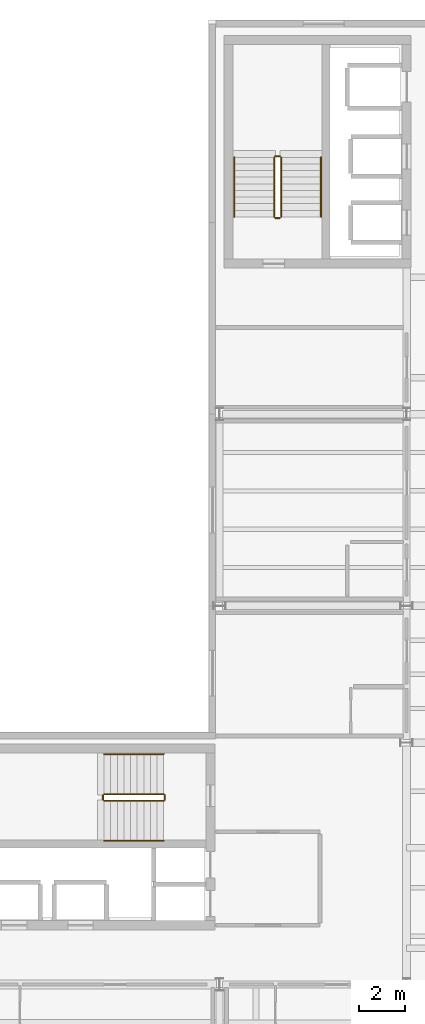
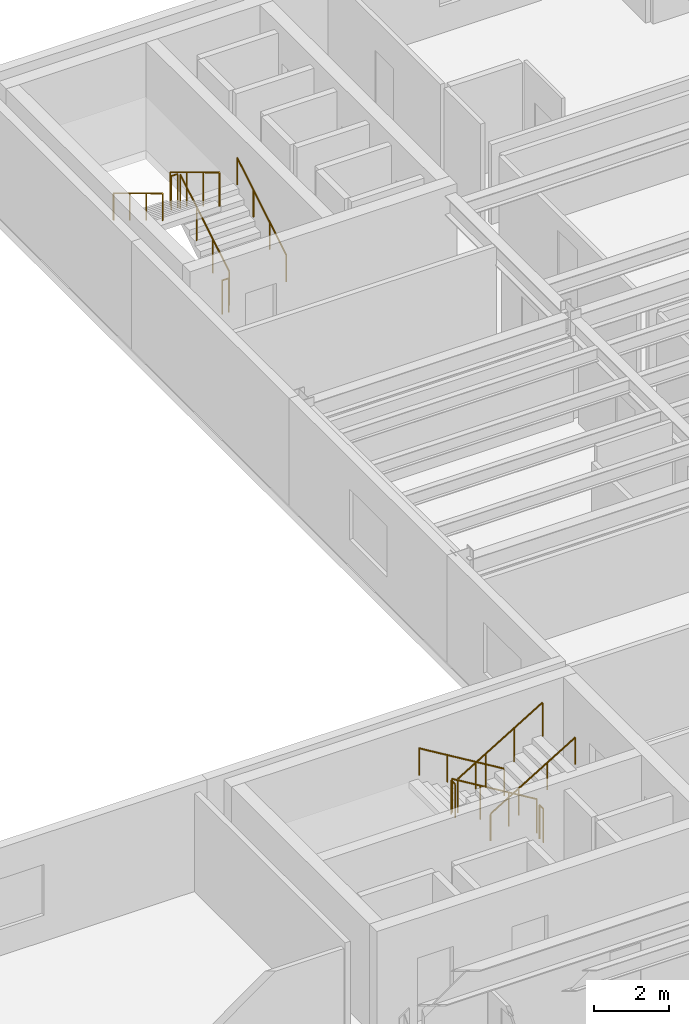
# One storey, part 17 of 17: 12 railings.
"""IFC4 building model written with IfcOpenShell, lengths in metres."""

from ifc_helpers import new_model, si_unit, direction, frame, origin, origin_2d, place, context, subcontext, project, spatial, circle, extrude, material, type_object, element, save


model = new_model("IFC4")

# Units and contexts
model_context = context("Model", 3, precision=1e-05, world=origin(), true_north=direction((0.0, 1.0)))
body_context = subcontext(model_context, "Body", "Model", "MODEL_VIEW")
ifc_project = project(units=[si_unit("LENGTHUNIT", "METRE"), si_unit("AREAUNIT", "SQUARE_METRE"), si_unit("VOLUMEUNIT", "CUBIC_METRE"), si_unit("PLANEANGLEUNIT", "RADIAN"), si_unit("MASSUNIT", "GRAM", prefix="KILO")], contexts=[model_context])

# Site, building, storey
site_placement = place(None, origin())
site = spatial("IfcSite", under=ifc_project, at=site_placement, CompositionType="ELEMENT")
building_placement = place(site_placement, origin())
building = spatial("IfcBuilding", under=site, at=building_placement, Name="Sollismere Congress Hotel", CompositionType="ELEMENT")
storey_placement = place(building_placement, frame((0.0, 0.0, 37.60009765625)))
storey = spatial("IfcBuildingStorey", under=building, at=storey_placement, Name="L09", CompositionType="ELEMENT", Elevation=37.60009765625)

# Railings
ifc_material_1 = material(Name="Steel ASTM A500 Grade C", Category="steel")
railing_type_1 = type_object("IfcRailingType", Name="RL-GRD112", PredefinedType="GUARDRAIL", material=ifc_material_1)
railing_1_placement = place(storey_placement, frame((144.75, 16.550048828125, 0.1748046875)))
element("IfcRailing", 1, at=railing_1_placement, inside=storey, type_object=railing_type_1, Name="RLG-RG-ST-01-L09-1", PredefinedType="GUARDRAIL", context=body_context, shape_type="SweptSolid", body=[
    extrude(circle(Radius=0.02392578125, at=origin_2d()), frame((0.0, 0.0, 1.09619140625), z_axis=(-0.85616872604, 0.0, 0.516696344627), x_axis=(0.0, -1.0, 0.0)), (0.0, 0.0, 1.0), 3.048583984375),
    extrude(circle(Radius=0.02099609375, at=origin_2d()), origin(), (0.0, 0.0, 1.0), 1.072021484375),
    extrude(circle(Radius=0.02099609375, at=origin_2d()), frame((-0.8701171875, 0.0, 0.525146484375)), (0.0, 0.0, 1.0), 1.072021484375),
    extrude(circle(Radius=0.02099609375, at=origin_2d()), frame((-1.739990234375, 0.0, 1.050048828125)), (0.0, 0.0, 1.0), 1.072021484375),
    extrude(circle(Radius=0.02099609375, at=origin_2d()), frame((-2.610107421875, 0.0, 1.5751953125)), (0.0, 0.0, 1.0), 1.072021484375),
])
railing_2_placement = place(storey_placement, frame((142.090087890625, 16.5, 1.75)))
element("IfcRailing", 2, at=railing_2_placement, inside=storey, type_object=railing_type_1, Name="RLG-RG-ST-01-L09-2", PredefinedType="GUARDRAIL", context=body_context, shape_type="SweptSolid", body=[
    extrude(circle(Radius=0.02392578125, at=origin_2d()), frame((0.0, 0.0, 1.09619140625), z_axis=(0.0, -1.0, 0.0), x_axis=(1.0, 0.0, 0.0)), (0.0, 0.0, 1.0), 0.199951171875),
    extrude(circle(Radius=0.02099609375, at=origin_2d()), origin(), (0.0, 0.0, 1.0), 1.072021484375),
    extrude(circle(Radius=0.02099609375, at=origin_2d()), frame((0.0, -0.199951171875, 0.0)), (0.0, 0.0, 1.0), 1.072021484375),
])
railing_3_placement = place(storey_placement, frame((142.139892578125, 16.25, 1.9248046875)))
element("IfcRailing", 3, at=railing_3_placement, inside=storey, type_object=railing_type_1, Name="RLG-RG-ST-01-L09-3", PredefinedType="GUARDRAIL", context=body_context, shape_type="SweptSolid", body=[
    extrude(circle(Radius=0.02392578125, at=origin_2d()), frame((0.0, 0.0, 1.09619140625), z_axis=(0.85616872604, 0.0, 0.516696344627), x_axis=(0.0, 1.0, 0.0)), (0.0, 0.0, 1.0), 3.048583984375),
    extrude(circle(Radius=0.02099609375, at=origin_2d()), origin(), (0.0, 0.0, 1.0), 1.072021484375),
    extrude(circle(Radius=0.02099609375, at=origin_2d()), frame((0.8701171875, 0.0, 0.525146484375)), (0.0, 0.0, 1.0), 1.072021484375),
    extrude(circle(Radius=0.02099609375, at=origin_2d()), frame((1.739990234375, 0.0, 1.050048828125)), (0.0, 0.0, 1.0), 1.072021484375),
    extrude(circle(Radius=0.02099609375, at=origin_2d()), frame((2.610107421875, 0.0, 1.5751953125)), (0.0, 0.0, 1.0), 1.072021484375),
])
railing_4_placement = place(storey_placement, frame((144.800048828125, 16.5, 0.0)))
element("IfcRailing", 4, at=railing_4_placement, inside=storey, type_object=railing_type_1, Name="RLG-RG-ST-01-L09-4", PredefinedType="GUARDRAIL", context=body_context, shape_type="SweptSolid", body=[
    extrude(circle(Radius=0.02392578125, at=origin_2d()), frame((0.0, 0.0, 1.09619140625), z_axis=(0.0, -1.0, 0.0), x_axis=(1.0, 0.0, 0.0)), (0.0, 0.0, 1.0), 0.199951171875),
    extrude(circle(Radius=0.02099609375, at=origin_2d()), origin(), (0.0, 0.0, 1.0), 1.072021484375),
    extrude(circle(Radius=0.02099609375, at=origin_2d()), frame((0.0, -0.199951171875, 0.0)), (0.0, 0.0, 1.0), 1.072021484375),
])
railing_5_placement = place(storey_placement, frame((149.89990234375, 41.85009765625, 0.1748046875)))
element("IfcRailing", 5, at=railing_5_placement, inside=storey, type_object=railing_type_1, Name="RLG-RG-ST-03-L09-1", PredefinedType="GUARDRAIL", context=body_context, shape_type="SweptSolid", body=[
    extrude(circle(Radius=0.02392578125, at=origin_2d()), frame((0.0, 0.0, 1.09619140625), z_axis=(0.0, 0.856147343639, 0.516731773728), x_axis=(-1.0, 0.0, 0.0)), (0.0, 0.0, 1.0), 3.04833984375),
    extrude(circle(Radius=0.02099609375, at=origin_2d()), origin(), (0.0, 0.0, 1.0), 1.072021484375),
    extrude(circle(Radius=0.02099609375, at=origin_2d()), frame((0.0, 0.869873046875, 0.525146484375)), (0.0, 0.0, 1.0), 1.072021484375),
    extrude(circle(Radius=0.02099609375, at=origin_2d()), frame((0.0, 1.739990234375, 1.050048828125)), (0.0, 0.0, 1.0), 1.072021484375),
    extrude(circle(Radius=0.02099609375, at=origin_2d()), frame((0.0, 2.60986328125, 1.5751953125)), (0.0, 0.0, 1.0), 1.072021484375),
])
railing_6_placement = place(storey_placement, frame((149.85009765625, 44.510009765625, 1.75)))
element("IfcRailing", 6, at=railing_6_placement, inside=storey, type_object=railing_type_1, Name="RLG-RG-ST-03-L09-2", PredefinedType="GUARDRAIL", context=body_context, shape_type="SweptSolid", body=[
    extrude(circle(Radius=0.02392578125, at=origin_2d()), frame((0.0, 0.0, 1.09619140625), z_axis=(-1.0, 0.0, 0.0), x_axis=(0.0, -1.0, 0.0)), (0.0, 0.0, 1.0), 0.2001953125),
    extrude(circle(Radius=0.02099609375, at=origin_2d()), origin(), (0.0, 0.0, 1.0), 1.072021484375),
    extrude(circle(Radius=0.02099609375, at=origin_2d()), frame((-0.2001953125, 0.0, 0.0)), (0.0, 0.0, 1.0), 1.072021484375),
])
railing_7_placement = place(storey_placement, frame((149.60009765625, 44.4599609375, 1.9248046875)))
element("IfcRailing", 7, at=railing_7_placement, inside=storey, type_object=railing_type_1, Name="RLG-RG-ST-03-L09-3", PredefinedType="GUARDRAIL", context=body_context, shape_type="SweptSolid", body=[
    extrude(circle(Radius=0.02392578125, at=origin_2d()), frame((0.0, 0.0, 1.09619140625), z_axis=(0.0, -0.856147343639, 0.516731773728), x_axis=(1.0, 0.0, 0.0)), (0.0, 0.0, 1.0), 3.04833984375),
    extrude(circle(Radius=0.02099609375, at=origin_2d()), origin(), (0.0, 0.0, 1.0), 1.072021484375),
    extrude(circle(Radius=0.02099609375, at=origin_2d()), frame((0.0, -0.869873046875, 0.525146484375)), (0.0, 0.0, 1.0), 1.072021484375),
    extrude(circle(Radius=0.02099609375, at=origin_2d()), frame((0.0, -1.739990234375, 1.050048828125)), (0.0, 0.0, 1.0), 1.072021484375),
    extrude(circle(Radius=0.02099609375, at=origin_2d()), frame((0.0, -2.60986328125, 1.5751953125)), (0.0, 0.0, 1.0), 1.072021484375),
])
railing_8_placement = place(storey_placement, frame((149.85009765625, 41.800048828125, 0.0)))
element("IfcRailing", 8, at=railing_8_placement, inside=storey, type_object=railing_type_1, Name="RLG-RG-ST-03-L09-4", PredefinedType="GUARDRAIL", context=body_context, shape_type="SweptSolid", body=[
    extrude(circle(Radius=0.02392578125, at=origin_2d()), frame((0.0, 0.0, 1.09619140625), z_axis=(-1.0, 0.0, 0.0), x_axis=(0.0, -1.0, 0.0)), (0.0, 0.0, 1.0), 0.2001953125),
    extrude(circle(Radius=0.02099609375, at=origin_2d()), origin(), (0.0, 0.0, 1.0), 1.072021484375),
    extrude(circle(Radius=0.02099609375, at=origin_2d()), frame((-0.2001953125, 0.0, 0.0)), (0.0, 0.0, 1.0), 1.072021484375),
])
ifc_material_2 = material(Name="Brushed Architectural Bronze")
railing_type_2 = type_object("IfcRailingType", Name="RL-HND90", PredefinedType="HANDRAIL", material=ifc_material_2)
railing_9_placement = place(storey_placement, frame((144.75, 18.300048828125, 0.325927734375)))
element("IfcRailing", 9, at=railing_9_placement, inside=storey, type_object=railing_type_2, Name="RLG-RH-ST-01-L09-1", PredefinedType="HANDRAIL", context=body_context, shape_type="SweptSolid", body=[
    extrude(circle(Radius=0.02392578125, at=origin_2d()), frame((0.0, 0.0, 0.8759765625), z_axis=(-0.856204152608, 0.0, 0.516637638057), x_axis=(0.0, -1.0, 0.0)), (0.0, 0.0, 1.0), 3.048583984375),
    extrude(circle(Radius=0.02099609375, at=origin_2d()), origin(), (0.0, 0.0, 1.0), 0.851806640625),
    extrude(circle(Radius=0.02099609375, at=origin_2d()), frame((-0.8701171875, 0.0, 0.52490234375)), (0.0, 0.0, 1.0), 0.851806640625),
    extrude(circle(Radius=0.02099609375, at=origin_2d()), frame((-1.739990234375, 0.0, 1.050048828125)), (0.0, 0.0, 1.0), 0.851806640625),
    extrude(circle(Radius=0.02099609375, at=origin_2d()), frame((-2.610107421875, 0.0, 1.574951171875)), (0.0, 0.0, 1.0), 0.851806640625),
])
railing_10_placement = place(storey_placement, frame((142.139892578125, 14.5, 2.075927734375)))
element("IfcRailing", 10, at=railing_10_placement, inside=storey, type_object=railing_type_2, Name="RLG-RH-ST-01-L09-2", PredefinedType="HANDRAIL", context=body_context, shape_type="SweptSolid", body=[
    extrude(circle(Radius=0.02392578125, at=origin_2d()), frame((0.0, 0.0, 0.8759765625), z_axis=(0.856204152608, 0.0, 0.516637638057), x_axis=(0.0, 1.0, 0.0)), (0.0, 0.0, 1.0), 3.048583984375),
    extrude(circle(Radius=0.02099609375, at=origin_2d()), origin(), (0.0, 0.0, 1.0), 0.851806640625),
    extrude(circle(Radius=0.02099609375, at=origin_2d()), frame((0.8701171875, 0.0, 0.52490234375)), (0.0, 0.0, 1.0), 0.851806640625),
    extrude(circle(Radius=0.02099609375, at=origin_2d()), frame((1.739990234375, 0.0, 1.050048828125)), (0.0, 0.0, 1.0), 0.851806640625),
    extrude(circle(Radius=0.02099609375, at=origin_2d()), frame((2.610107421875, 0.0, 1.574951171875)), (0.0, 0.0, 1.0), 0.851806640625),
])
railing_11_placement = place(storey_placement, frame((151.64990234375, 41.85009765625, 0.325927734375)))
element("IfcRailing", 11, at=railing_11_placement, inside=storey, type_object=railing_type_2, Name="RLG-RH-ST-03-L09-1", PredefinedType="HANDRAIL", context=body_context, shape_type="SweptSolid", body=[
    extrude(circle(Radius=0.02392578125, at=origin_2d()), frame((0.0, 0.0, 0.8759765625), z_axis=(0.0, 0.85618277418, 0.516673066065), x_axis=(-1.0, 0.0, 0.0)), (0.0, 0.0, 1.0), 3.04833984375),
    extrude(circle(Radius=0.02099609375, at=origin_2d()), origin(), (0.0, 0.0, 1.0), 0.851806640625),
    extrude(circle(Radius=0.02099609375, at=origin_2d()), frame((0.0, 0.869873046875, 0.52490234375)), (0.0, 0.0, 1.0), 0.851806640625),
    extrude(circle(Radius=0.02099609375, at=origin_2d()), frame((0.0, 1.739990234375, 1.050048828125)), (0.0, 0.0, 1.0), 0.851806640625),
    extrude(circle(Radius=0.02099609375, at=origin_2d()), frame((0.0, 2.60986328125, 1.574951171875)), (0.0, 0.0, 1.0), 0.851806640625),
])
railing_12_placement = place(storey_placement, frame((147.85009765625, 44.4599609375, 2.075927734375)))
element("IfcRailing", 12, at=railing_12_placement, inside=storey, type_object=railing_type_2, Name="RLG-RH-ST-03-L09-2", PredefinedType="HANDRAIL", context=body_context, shape_type="SweptSolid", body=[
    extrude(circle(Radius=0.02392578125, at=origin_2d()), frame((0.0, 0.0, 0.8759765625), z_axis=(0.0, -0.85618277418, 0.516673066065), x_axis=(1.0, 0.0, 0.0)), (0.0, 0.0, 1.0), 3.04833984375),
    extrude(circle(Radius=0.02099609375, at=origin_2d()), origin(), (0.0, 0.0, 1.0), 0.851806640625),
    extrude(circle(Radius=0.02099609375, at=origin_2d()), frame((0.0, -0.869873046875, 0.52490234375)), (0.0, 0.0, 1.0), 0.851806640625),
    extrude(circle(Radius=0.02099609375, at=origin_2d()), frame((0.0, -1.739990234375, 1.050048828125)), (0.0, 0.0, 1.0), 0.851806640625),
    extrude(circle(Radius=0.02099609375, at=origin_2d()), frame((0.0, -2.60986328125, 1.574951171875)), (0.0, 0.0, 1.0), 0.851806640625),
])

save(model, "model.ifc")
